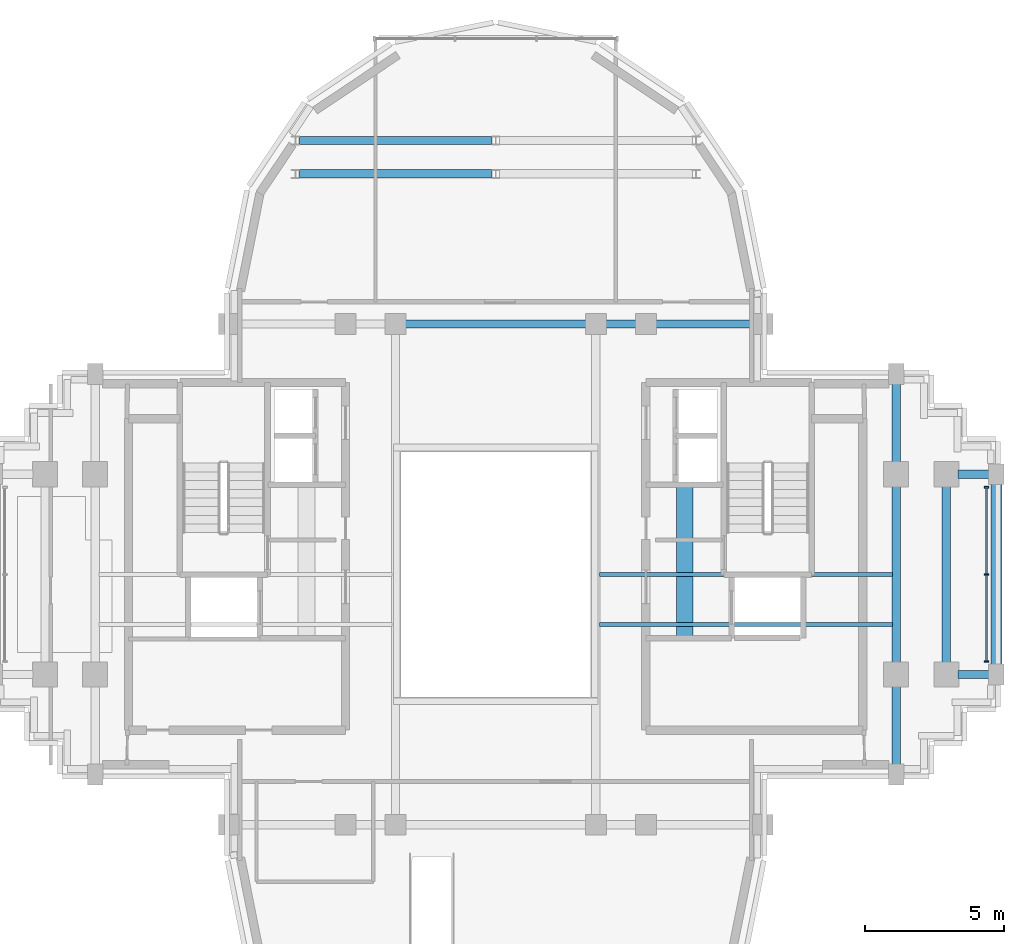
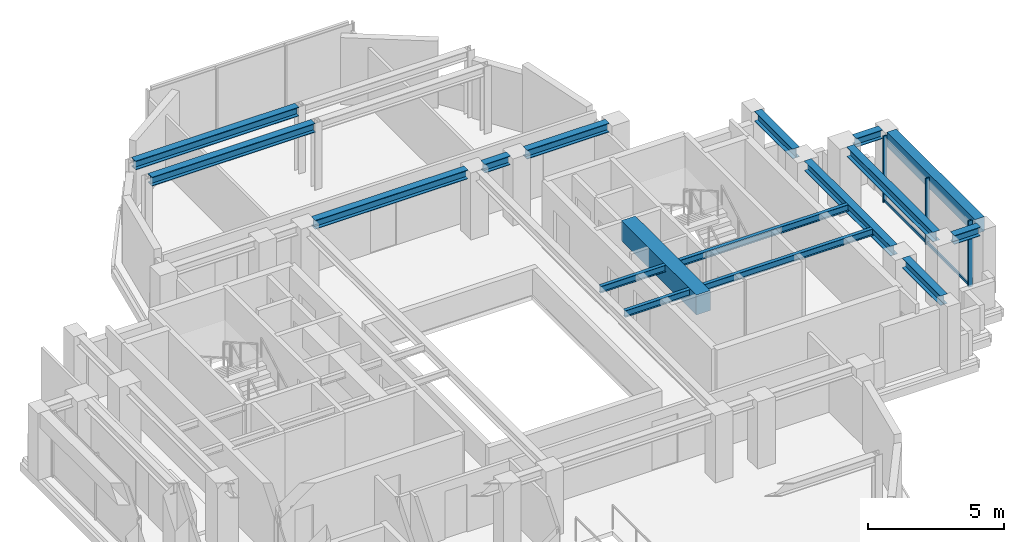
# One storey, part 5 of 12: 15 beams, 5 members, 1 element without a shape of its own.
"""IFC4 building model written with IfcOpenShell, lengths in metres."""

from ifc_helpers import new_model, si_unit, direction, frame, origin, origin_2d, place, context, subcontext, project, spatial, rectangle, i_section, extrude, source, transform, mapped, material, material_profile, profile_set, type_object, element, aggregate, save


model = new_model("IFC4")

# Units and contexts
model_context = context("Model", 3, precision=1e-05, world=origin(), true_north=direction((0.0, 1.0)))
body_context = subcontext(model_context, "Body", "Model", "MODEL_VIEW")
ifc_project = project(units=[si_unit("LENGTHUNIT", "METRE"), si_unit("AREAUNIT", "SQUARE_METRE"), si_unit("VOLUMEUNIT", "CUBIC_METRE"), si_unit("PLANEANGLEUNIT", "RADIAN"), si_unit("MASSUNIT", "GRAM", prefix="KILO")], contexts=[model_context])

# Site, building, storey
site_placement = place(None, origin())
site = spatial("IfcSite", under=ifc_project, at=site_placement, CompositionType="ELEMENT")
building_placement = place(site_placement, origin())
building = spatial("IfcBuilding", under=site, at=building_placement, Name="Keilestroom Media Tower", CompositionType="ELEMENT")
storey_placement = place(building_placement, frame((0.0, 0.0, 242.800048828125)))
storey = spatial("IfcBuildingStorey", under=building, at=storey_placement, Name="L67", CompositionType="ELEMENT", Elevation=242.800048828125)

# Beams
ifc_material_1 = material(Name="Concrete C70/85", Category="concrete")
ifc_material_profile_1 = material_profile(ifc_material_1, rectangle(XDim=0.60009765625, YDim=0.89990234375, at=origin_2d()), Name="RC 600x900")
ifc_profile_set_1 = profile_set([ifc_material_profile_1], Name="Concrete C70/85")
beam_type_1 = type_object("IfcBeamType", Name="Core-Coupling-Lintel-Beam-RC-600x900", PredefinedType="LINTEL", material=ifc_profile_set_1)
shared_shape_1 = source(origin(), body_context, "Body", "SweptSolid", [
    extrude(rectangle(XDim=0.60009765625, YDim=0.89990234375, at=origin_2d()), origin(), (0.0, 0.0, 1.0), 5.52001953125),
])
beam_1_placement = place(storey_placement, frame((6.800048828125, -2.300048828125, 2.56005859375), z_axis=(0.0, 1.0, 0.0), x_axis=(-1.0, 0.0, 0.0)))
element("IfcBeam", 1, at=beam_1_placement, inside=storey, type_object=beam_type_1, Name="L67 Beam CLB-1 CLB-L67-E", PredefinedType="LINTEL", context=body_context, shape_type="MappedRepresentation", body=[
    mapped(shared_shape_1, transform((0.0, 0.0, 0.0), x_axis=(1.0, 0.0, 0.0), y_axis=(0.0, 1.0, 0.0), z_axis=(0.0, 0.0, 1.0), scale=1.0)),
])
ifc_material_2 = material(Name="Steel S355", Category="steel")
ifc_material_profile_2 = material_profile(ifc_material_2, i_section(OverallWidth=0.300048828125, OverallDepth=0.39990234375, WebThickness=0.011474609375, FlangeThickness=0.02392578125, at=origin_2d()), Name="HEB 400")
ifc_profile_set_2 = profile_set([ifc_material_profile_2], Name="Steel S355")
beam_type_2 = type_object("IfcBeamType", Name="Primary-Structural-Girder-HEB-400", PredefinedType="BEAM", material=ifc_profile_set_2)
shared_shape_2 = source(origin(), body_context, "Body", "SweptSolid", [
    extrude(i_section(OverallWidth=0.300048828125, OverallDepth=0.39990234375, WebThickness=0.011474609375, FlangeThickness=0.02392578125, at=origin_2d()), origin(), (0.0, 0.0, 1.0), 6.940185546875),
])
for number, where, z_axis, x_axis, name in (
    (2, (-7.070068359375, 14.39990234375, 2.81005859375), (1.0, 0.0, 0.0), (0.0, 1.0, 0.0), "L67 Beam BG-8 BM-L67-EW-021"),
    (3, (-7.070068359375, 15.60009765625, 2.81005859375), (1.0, 0.0, 0.0), (0.0, 1.0, 0.0), "L67 Beam BG-8 BM-L67-EW-023"),
):
    element("IfcBeam", number, at=place(storey_placement, frame(where, z_axis=z_axis, x_axis=x_axis)), inside=storey, type_object=beam_type_2, Name=name, PredefinedType="BEAM", context=body_context, shape_type="MappedRepresentation", body=[
        mapped(shared_shape_2, transform((0.0, 0.0, 0.0), x_axis=(1.0, 0.0, 0.0), y_axis=(0.0, 1.0, 0.0), z_axis=(0.0, 0.0, 1.0), scale=1.0)),
    ])
shared_shape_3 = source(origin(), body_context, "Body", "SweptSolid", [
    extrude(i_section(OverallWidth=0.300048828125, OverallDepth=0.39990234375, WebThickness=0.011474609375, FlangeThickness=0.02392578125, at=origin_2d()), origin(), (0.0, 0.0, 1.0), 3.490234375),
])
beam_2_placement = place(storey_placement, frame((5.7548828125, 9.0, 2.81005859375), z_axis=(1.0, 0.0, 0.0), x_axis=(0.0, 1.0, 0.0)))
element("IfcBeam", 4, at=beam_2_placement, inside=storey, type_object=beam_type_2, Name="L67 Beam BG-8 BM-L67-EW-020", PredefinedType="BEAM", context=body_context, shape_type="MappedRepresentation", body=[
    mapped(shared_shape_3, transform((0.0, 0.0, 0.0), x_axis=(1.0, 0.0, 0.0), y_axis=(0.0, 1.0, 0.0), z_axis=(0.0, 0.0, 1.0), scale=1.0)),
])
shared_shape_4 = source(origin(), body_context, "Body", "SweptSolid", [
    extrude(i_section(OverallWidth=0.300048828125, OverallDepth=0.39990234375, WebThickness=0.011474609375, FlangeThickness=0.02392578125, at=origin_2d()), origin(), (0.0, 0.0, 1.0), 1.08984375),
])
beam_3_placement = place(storey_placement, frame((3.955078125, 9.0, 2.81005859375), z_axis=(1.0, 0.0, 0.0), x_axis=(0.0, 1.0, 0.0)))
element("IfcBeam", 5, at=beam_3_placement, inside=storey, type_object=beam_type_2, Name="L67 Beam BG-8 BM-L67-EW-019", PredefinedType="BEAM", context=body_context, shape_type="MappedRepresentation", body=[
    mapped(shared_shape_4, transform((0.0, 0.0, 0.0), x_axis=(1.0, 0.0, 0.0), y_axis=(0.0, 1.0, 0.0), z_axis=(0.0, 0.0, 1.0), scale=1.0)),
])
shared_shape_5 = source(origin(), body_context, "Body", "SweptSolid", [
    extrude(i_section(OverallWidth=0.300048828125, OverallDepth=0.39990234375, WebThickness=0.011474609375, FlangeThickness=0.02392578125, at=origin_2d()), origin(), (0.0, 0.0, 1.0), 6.490234375),
])
beam_4_placement = place(storey_placement, frame((-3.2451171875, 9.0, 2.81005859375), z_axis=(1.0, 0.0, 0.0), x_axis=(0.0, 1.0, 0.0)))
element("IfcBeam", 6, at=beam_4_placement, inside=storey, type_object=beam_type_2, Name="L67 Beam BG-8 BM-L67-EW-018", PredefinedType="BEAM", context=body_context, shape_type="MappedRepresentation", body=[
    mapped(shared_shape_5, transform((0.0, 0.0, 0.0), x_axis=(1.0, 0.0, 0.0), y_axis=(0.0, 1.0, 0.0), z_axis=(0.0, 0.0, 1.0), scale=1.0)),
])
shared_shape_6 = source(origin(), body_context, "Body", "SweptSolid", [
    extrude(i_section(OverallWidth=0.300048828125, OverallDepth=0.39990234375, WebThickness=0.011474609375, FlangeThickness=0.02392578125, at=origin_2d()), origin(), (0.0, 0.0, 1.0), 1.115234375),
])
for number, where, z_axis, x_axis, name in (
    (7, (16.6298828125, -3.60009765625, 2.81005859375), (1.0, 0.0, 0.0), (0.0, 1.0, 0.0), "L67 Beam BG-8 BM-L67-EW-011"),
    (8, (16.6298828125, 3.60009765625, 2.81005859375), (1.0, 0.0, 0.0), (0.0, 1.0, 0.0), "L67 Beam BG-8 BM-L67-EW-015"),
):
    element("IfcBeam", number, at=place(storey_placement, frame(where, z_axis=z_axis, x_axis=x_axis)), inside=storey, type_object=beam_type_2, Name=name, PredefinedType="BEAM", context=body_context, shape_type="MappedRepresentation", body=[
        mapped(shared_shape_6, transform((0.0, 0.0, 0.0), x_axis=(1.0, 0.0, 0.0), y_axis=(0.0, 1.0, 0.0), z_axis=(0.0, 0.0, 1.0), scale=1.0)),
    ])
ifc_material_3 = material(Name="Precast concrete C40/50", Category="concrete")
ifc_material_profile_3 = material_profile(ifc_material_3, rectangle(XDim=0.39990234375, YDim=0.64990234375, at=origin_2d()), Name="PC 400x650")
ifc_profile_set_3 = profile_set([ifc_material_profile_3], Name="Precast concrete C40/50")
beam_type_3 = type_object("IfcBeamType", Name="Perimeter-Spandrel-Beam-PC-400x650", PredefinedType="SPANDREL", material=ifc_profile_set_3)
shared_shape_7 = source(origin(), body_context, "Body", "SweptSolid", [
    extrude(rectangle(XDim=0.39990234375, YDim=0.64990234375, at=origin_2d()), origin(), (0.0, 0.0, 1.0), 6.490234375),
])
beam_5_placement = place(storey_placement, frame((18.0, -3.2451171875, 2.68505859375), z_axis=(0.0, 1.0, 0.0), x_axis=(-1.0, 0.0, 0.0)))
element("IfcBeam", 9, at=beam_5_placement, inside=storey, type_object=beam_type_3, Name="L67 Beam SPB-2 BM-L67-NS-044", PredefinedType="SPANDREL", context=body_context, shape_type="MappedRepresentation", body=[
    mapped(shared_shape_7, transform((0.0, 0.0, 0.0), x_axis=(1.0, 0.0, 0.0), y_axis=(0.0, 1.0, 0.0), z_axis=(0.0, 0.0, 1.0), scale=1.0)),
])
ifc_material_profile_4 = material_profile(ifc_material_2, i_section(OverallWidth=0.300048828125, OverallDepth=0.43994140625, WebThickness=0.011474609375, FlangeThickness=0.02099609375, at=origin_2d()), Name="HEA 450")
ifc_profile_set_4 = profile_set([ifc_material_profile_4], Name="Steel S355")
beam_type_4 = type_object("IfcBeamType", Name="Primary-Structural-Girder-HEA-450", PredefinedType="BEAM", material=ifc_profile_set_4)
shared_shape_8 = source(origin(), body_context, "Body", "SweptSolid", [
    extrude(i_section(OverallWidth=0.300048828125, OverallDepth=0.43994140625, WebThickness=0.011474609375, FlangeThickness=0.02099609375, at=origin_2d()), origin(), (0.0, 0.0, 1.0), 6.33984375),
])
for number, where, z_axis, x_axis, name in (
    (10, (14.39990234375, -3.169921875, 2.7900390625), (0.0, 1.0, 0.0), (-1.0, 0.0, 0.0), "L67 Beam BG-11 BM-L67-NS-041"),
    (11, (16.199951171875, -3.169921875, 2.7900390625), (0.0, 1.0, 0.0), (-1.0, 0.0, 0.0), "L67 Beam BG-11 BM-L67-NS-043"),
):
    element("IfcBeam", number, at=place(storey_placement, frame(where, z_axis=z_axis, x_axis=x_axis)), inside=storey, type_object=beam_type_4, Name=name, PredefinedType="BEAM", context=body_context, shape_type="MappedRepresentation", body=[
        mapped(shared_shape_8, transform((0.0, 0.0, 0.0), x_axis=(1.0, 0.0, 0.0), y_axis=(0.0, 1.0, 0.0), z_axis=(0.0, 0.0, 1.0), scale=1.0)),
    ])
shared_shape_9 = source(origin(), body_context, "Body", "SweptSolid", [
    extrude(i_section(OverallWidth=0.300048828125, OverallDepth=0.43994140625, WebThickness=0.011474609375, FlangeThickness=0.02099609375, at=origin_2d()), origin(), (0.0, 0.0, 1.0), 2.81494140625),
])
for number, where, z_axis, x_axis, name in (
    (12, (14.39990234375, -6.844970703125, 2.7900390625), (0.0, 1.0, 0.0), (-1.0, 0.0, 0.0), "L67 Beam BG-11 BM-L67-NS-040"),
    (13, (14.39990234375, 4.030029296875, 2.7900390625), (0.0, 1.0, 0.0), (-1.0, 0.0, 0.0), "L67 Beam BG-11 BM-L67-NS-042"),
):
    element("IfcBeam", number, at=place(storey_placement, frame(where, z_axis=z_axis, x_axis=x_axis)), inside=storey, type_object=beam_type_4, Name=name, PredefinedType="BEAM", context=body_context, shape_type="MappedRepresentation", body=[
        mapped(shared_shape_9, transform((0.0, 0.0, 0.0), x_axis=(1.0, 0.0, 0.0), y_axis=(0.0, 1.0, 0.0), z_axis=(0.0, 0.0, 1.0), scale=1.0)),
    ])
ifc_material_profile_5 = material_profile(ifc_material_2, i_section(OverallWidth=0.14990234375, OverallDepth=0.300048828125, WebThickness=0.007080078125, FlangeThickness=0.0107421875, at=origin_2d()), Name="IPE 300")
ifc_profile_set_5 = profile_set([ifc_material_profile_5], Name="Steel S355")
beam_type_5 = type_object("IfcBeamType", Name="Secondary-Floor-Joist-IPE-300", PredefinedType="JOIST", material=ifc_profile_set_5)
shared_shape_10 = source(origin(), body_context, "Body", "SweptSolid", [
    extrude(i_section(OverallWidth=0.14990234375, OverallDepth=0.300048828125, WebThickness=0.007080078125, FlangeThickness=0.0107421875, at=origin_2d()), origin(), (0.0, 0.0, 1.0), 10.5400390625),
])
for number, where, z_axis, x_axis, name in (
    (14, (3.72998046875, -1.800048828125, 2.85986328125), (1.0, 0.0, 0.0), (0.0, 1.0, 0.0), "L67 Beam BJ-7 JST-L67-047"),
    (15, (3.72998046875, 0.0, 2.85986328125), (1.0, 0.0, 0.0), (0.0, 1.0, 0.0), "L67 Beam BJ-7 JST-L67-050"),
):
    element("IfcBeam", number, at=place(storey_placement, frame(where, z_axis=z_axis, x_axis=x_axis)), inside=storey, type_object=beam_type_5, Name=name, PredefinedType="JOIST", context=body_context, shape_type="MappedRepresentation", body=[
        mapped(shared_shape_10, transform((0.0, 0.0, 0.0), x_axis=(1.0, 0.0, 0.0), y_axis=(0.0, 1.0, 0.0), z_axis=(0.0, 0.0, 1.0), scale=1.0)),
    ])

# Curtain wall, members
ifc_material_4 = material(Name="Anodised Aluminium Alloy", Category="aluminium")
curtain_wall_type = type_object("IfcCurtainWallType", Name="Unitised-Curtain-Wall-CW-4", PredefinedType="NOTDEFINED", material=ifc_material_4)
curtain_wall_placement = place(storey_placement, origin())
curtain_wall = element("IfcCurtainWall", 16, at=curtain_wall_placement, inside=storey, type_object=curtain_wall_type, Name="L67 Curtain Wall CW-4 CW-L67-E-1", PredefinedType="NOTDEFINED")
ifc_material_profile_6 = material_profile(ifc_material_4, rectangle(XDim=0.06005859375, YDim=0.159912109375, at=origin_2d()), Name="ALU MULLION 60x160")
ifc_profile_set_6 = profile_set([ifc_material_profile_6], Name="Anodised Aluminium Alloy")
member_type_1 = type_object("IfcMemberType", Name="Curtain-Wall-Mullion-CW-4", PredefinedType="MULLION", material=ifc_profile_set_6)
shared_shape_11 = source(origin(), body_context, "Body", "SweptSolid", [
    extrude(rectangle(XDim=0.06005859375, YDim=0.159912109375, at=origin_2d()), origin(), (0.0, 0.0, 1.0), 2.97998046875),
])
member_1_placement = place(storey_placement, frame((17.64990234375, -3.135009765625, 0.0), z_axis=(0.0, 0.0, 1.0), x_axis=(0.0, 1.0, 0.0)))
member_1 = element("IfcMember", 17, at=member_1_placement, type_object=member_type_1, Name="CW-4 Mullion 00", PredefinedType="MULLION", context=body_context, shape_type="MappedRepresentation", body=[
    mapped(shared_shape_11, transform((0.0, 0.0, 0.0), x_axis=(1.0, 0.0, 0.0), y_axis=(0.0, 1.0, 0.0), z_axis=(0.0, 0.0, 1.0), scale=1.0)),
])
member_2_placement = place(storey_placement, frame((17.64990234375, 0.0, 0.0), z_axis=(0.0, 0.0, 1.0), x_axis=(0.0, 1.0, 0.0)))
member_2 = element("IfcMember", 18, at=member_2_placement, type_object=member_type_1, Name="CW-4 Mullion 01", PredefinedType="MULLION", context=body_context, shape_type="MappedRepresentation", body=[
    mapped(shared_shape_11, transform((0.0, 0.0, 0.0), x_axis=(1.0, 0.0, 0.0), y_axis=(0.0, 1.0, 0.0), z_axis=(0.0, 0.0, 1.0), scale=1.0)),
])
member_3_placement = place(storey_placement, frame((17.64990234375, 3.135009765625, 0.0), z_axis=(0.0, 0.0, 1.0), x_axis=(0.0, 1.0, 0.0)))
member_3 = element("IfcMember", 19, at=member_3_placement, type_object=member_type_1, Name="CW-4 Mullion 02", PredefinedType="MULLION", context=body_context, shape_type="MappedRepresentation", body=[
    mapped(shared_shape_11, transform((0.0, 0.0, 0.0), x_axis=(1.0, 0.0, 0.0), y_axis=(0.0, 1.0, 0.0), z_axis=(0.0, 0.0, 1.0), scale=1.0)),
])
ifc_material_profile_7 = material_profile(ifc_material_4, rectangle(XDim=0.06005859375, YDim=0.1298828125, at=origin_2d()), Name="ALU TRANSOM 60x130")
ifc_profile_set_7 = profile_set([ifc_material_profile_7], Name="Anodised Aluminium Alloy")
member_type_2 = type_object("IfcMemberType", Name="Curtain-Wall-Transom-CW-4", PredefinedType="USERDEFINED", material=ifc_profile_set_7)
shared_shape_12 = source(origin(), body_context, "Body", "SweptSolid", [
    extrude(rectangle(XDim=0.06005859375, YDim=0.1298828125, at=origin_2d()), origin(), (0.0, 0.0, 1.0), 3.078857421875),
])
member_4_placement = place(storey_placement, frame((17.64990234375, -3.10693359375, 0.06494140625), z_axis=(0.0, 1.0, 0.0), x_axis=(-1.0, 0.0, 0.0)))
member_4 = element("IfcMember", 20, at=member_4_placement, type_object=member_type_2, Name="CW-4 Transom 00.1", ObjectType="TRANSOM", PredefinedType="USERDEFINED", context=body_context, shape_type="MappedRepresentation", body=[
    mapped(shared_shape_12, transform((0.0, 0.0, 0.0), x_axis=(1.0, 0.0, 0.0), y_axis=(0.0, 1.0, 0.0), z_axis=(0.0, 0.0, 1.0), scale=1.0)),
])
member_5_placement = place(storey_placement, frame((17.64990234375, 0.028076171875, 0.06494140625), z_axis=(0.0, 1.0, 0.0), x_axis=(-1.0, 0.0, 0.0)))
member_5 = element("IfcMember", 21, at=member_5_placement, type_object=member_type_2, Name="CW-4 Transom 01.1", ObjectType="TRANSOM", PredefinedType="USERDEFINED", context=body_context, shape_type="MappedRepresentation", body=[
    mapped(shared_shape_12, transform((0.0, 0.0, 0.0), x_axis=(1.0, 0.0, 0.0), y_axis=(0.0, 1.0, 0.0), z_axis=(0.0, 0.0, 1.0), scale=1.0)),
])
aggregate(curtain_wall, [member_1, member_2, member_3, member_4, member_5])

save(model, "model.ifc")
